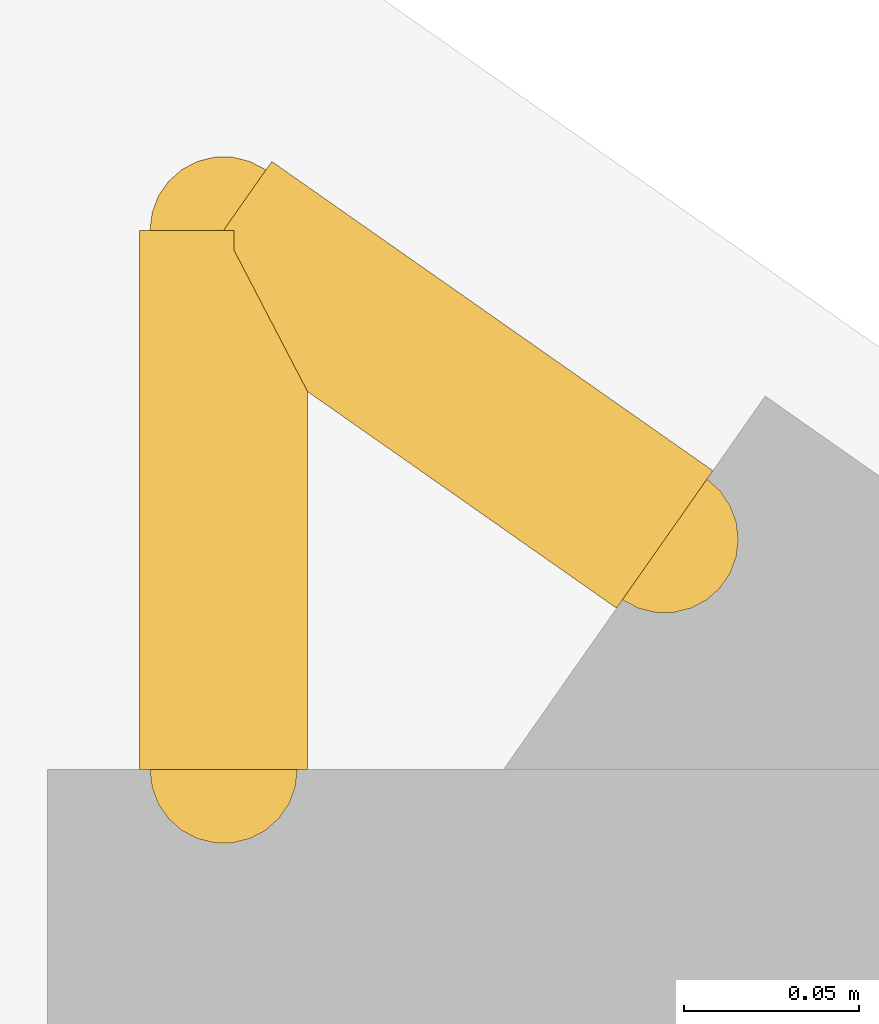
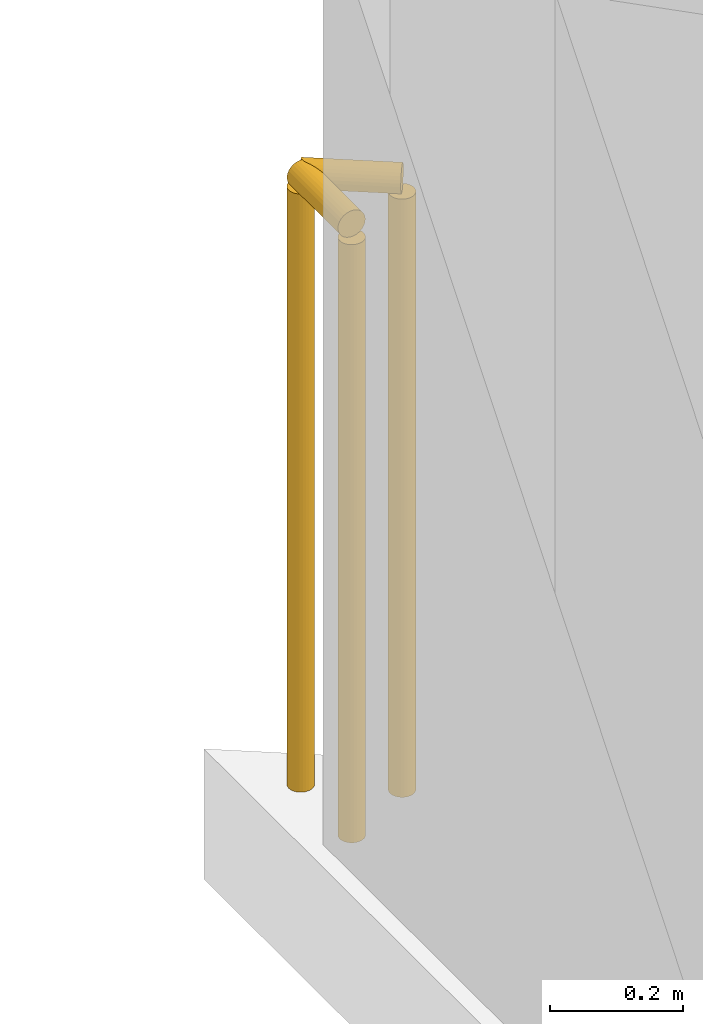
# One storey, part 14 of 14: 2 railings.
"""IFC4 building model written with IfcOpenShell, lengths in metres."""

from ifc_helpers import new_model, si_unit, direction, frame, origin, origin_2d, place, context, subcontext, project, spatial, circle, extrude, material, type_object, element, save


model = new_model("IFC4")

# Units and contexts
model_context = context("Model", 3, precision=1e-05, world=origin(), true_north=direction((0.0, 1.0)))
body_context = subcontext(model_context, "Body", "Model", "MODEL_VIEW")
ifc_project = project(units=[si_unit("LENGTHUNIT", "METRE"), si_unit("AREAUNIT", "SQUARE_METRE"), si_unit("VOLUMEUNIT", "CUBIC_METRE"), si_unit("PLANEANGLEUNIT", "RADIAN"), si_unit("MASSUNIT", "GRAM", prefix="KILO")], contexts=[model_context])

# Site, building, storey
site_placement = place(None, origin())
site = spatial("IfcSite", under=ifc_project, at=site_placement, CompositionType="ELEMENT")
building_placement = place(site_placement, origin())
building = spatial("IfcBuilding", under=site, at=building_placement, Name="Varnakote Quay Hospital", CompositionType="ELEMENT")
storey_placement = place(building_placement, frame((0.0, 0.0, 215.800048828125)))
storey = spatial("IfcBuildingStorey", under=building, at=storey_placement, Name="L53", CompositionType="ELEMENT", Elevation=215.800048828125)

# Railings
ifc_material = material(Name="Anodised aluminium 6063-T6 Bronze", Category="aluminium")
railing_type = type_object("IfcRailingType", Name="RLG-EXT-GUARD-1150", PredefinedType="GUARDRAIL", material=ifc_material)
railing_1_placement = place(storey_placement, frame((2.580078125, 42.492431640625, 0.0)))
element("IfcRailing", 1, at=railing_1_placement, inside=storey, type_object=railing_type, Name="L53 Slab Edge Perimeter Safety Guard", PredefinedType="GUARDRAIL", context=body_context, shape_type="SweptSolid", body=[
    extrude(circle(Radius=0.02392578125, at=origin_2d()), frame((0.0, 0.0, 1.1259765625), z_axis=(0.0, 1.0, 0.0), x_axis=(-1.0, 0.0, 0.0)), (0.0, 0.0, 1.0), 0.15380859375),
    extrude(circle(Radius=0.02099609375, at=origin_2d()), origin(), (0.0, 0.0, 1.0), 1.101806640625),
    extrude(circle(Radius=0.02099609375, at=origin_2d()), frame((0.0, 0.15380859375, 0.0)), (0.0, 0.0, 1.0), 1.101806640625),
])
railing_2_placement = place(storey_placement, frame((2.580078125, 42.646240234375, 0.0)))
element("IfcRailing", 2, at=railing_2_placement, inside=storey, type_object=railing_type, Name="L53 Slab Edge Perimeter Safety Guard", PredefinedType="GUARDRAIL", context=body_context, shape_type="SweptSolid", body=[
    extrude(circle(Radius=0.02392578125, at=origin_2d()), frame((0.0, 0.0, 1.1259765625), z_axis=(0.818858253068, -0.57399578516, 0.0), x_axis=(0.57399578516, 0.818858253068, 0.0)), (0.0, 0.0, 1.0), 0.153564453125),
    extrude(circle(Radius=0.02099609375, at=origin_2d()), origin(), (0.0, 0.0, 1.0), 1.101806640625),
    extrude(circle(Radius=0.02099609375, at=origin_2d()), frame((0.125732421875, -0.088134765625, 0.0)), (0.0, 0.0, 1.0), 1.101806640625),
])

save(model, "model.ifc")
